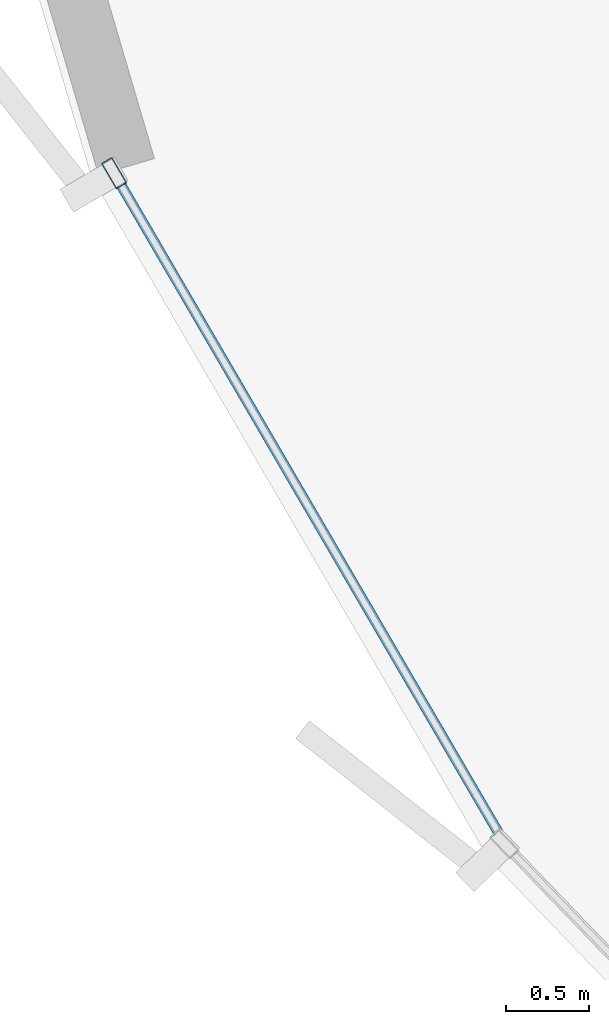
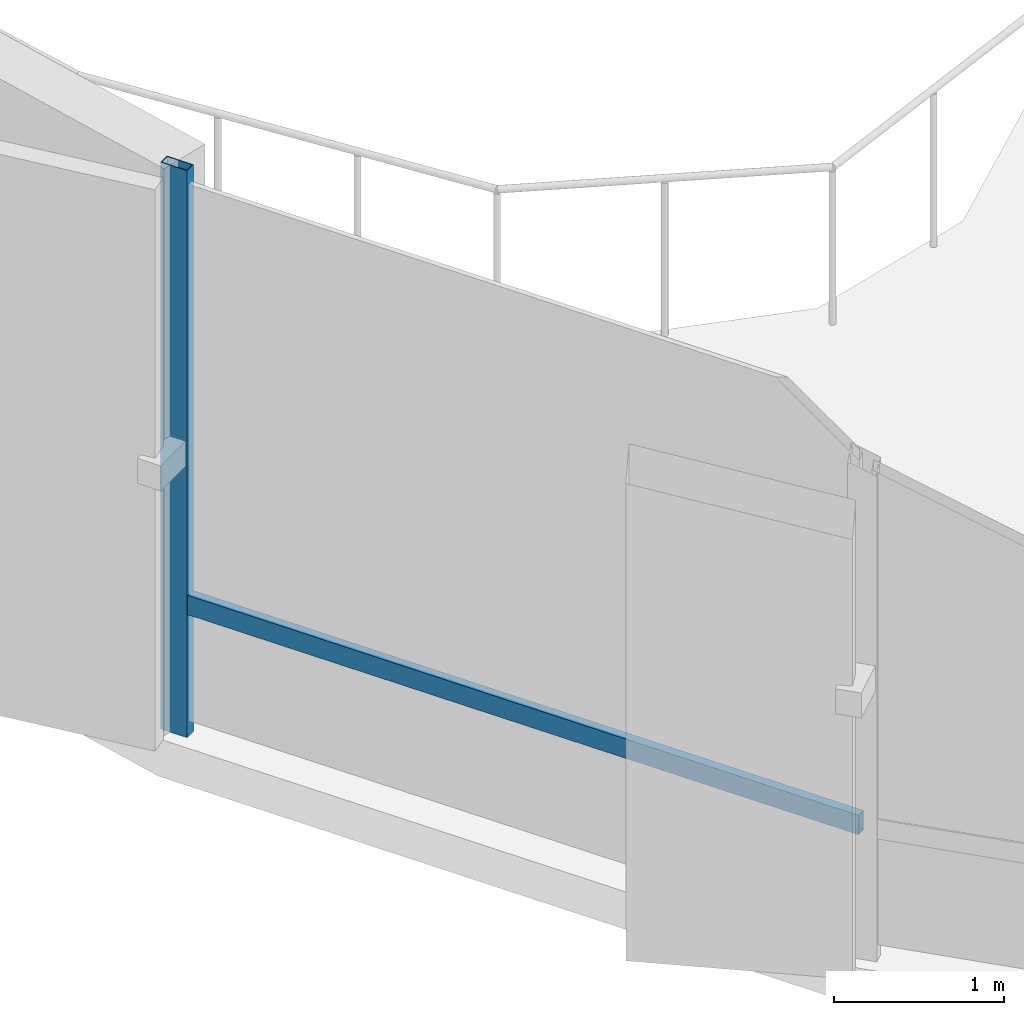
# One storey, part 3 of 34: 2 members, 1 element without a shape of its own.
"""IFC4 building model written with IfcOpenShell, lengths in metres."""

from ifc_helpers import new_model, si_unit, direction, frame, origin, origin_2d, place, context, subcontext, project, spatial, hollow_rectangle, extrude, source, transform, mapped, material, layer, layer_set, material_profile, profile_set, type_object, element, aggregate, save


model = new_model("IFC4")

# Units and contexts
model_context = context("Model", 3, precision=1e-05, world=origin(), true_north=direction((0.0, 1.0)))
body_context = subcontext(model_context, "Body", "Model", "MODEL_VIEW")
ifc_project = project(units=[si_unit("LENGTHUNIT", "METRE"), si_unit("AREAUNIT", "SQUARE_METRE"), si_unit("VOLUMEUNIT", "CUBIC_METRE"), si_unit("PLANEANGLEUNIT", "RADIAN"), si_unit("MASSUNIT", "GRAM", prefix="KILO"), si_unit("THERMODYNAMICTEMPERATUREUNIT", "KELVIN")], contexts=[model_context])

# Site, building, storey
site_placement = place(None, origin())
site = spatial("IfcSite", under=ifc_project, at=site_placement, CompositionType="ELEMENT")
building_placement = place(site_placement, origin())
building = spatial("IfcBuilding", under=site, at=building_placement, Name="Kethvar Cultural Tower", CompositionType="ELEMENT")
storey_placement = place(building_placement, frame((0.0, 0.0, 19.60009765625)))
storey = spatial("IfcBuildingStorey", under=building, at=storey_placement, Name="L04", CompositionType="ELEMENT", Elevation=19.60009765625)

# Curtain wall, members
ifc_material = material(Name="Aluminium 6063-T6", Category="aluminium")
ifc_layer = layer(ifc_material, 0.179931640625, Name="Aluminium 6063-T6", Category="aluminium")
ifc_layer_set = layer_set([ifc_layer], Name="Aluminium 6063-T6 (180 mm)")
curtain_wall_type = type_object("IfcCurtainWallType", Name="CW-SYS-01-POD", PredefinedType="NOTDEFINED", material=ifc_layer_set)
curtain_wall_placement = place(storey_placement, origin())
curtain_wall = element("IfcCurtainWall", 1, at=curtain_wall_placement, inside=storey, type_object=curtain_wall_type, Name="L04 Curtain Wall Run 04", PredefinedType="NOTDEFINED")
ifc_material_profile_1 = material_profile(ifc_material, hollow_rectangle(XDim=0.06005859375, YDim=0.139892578125, WallThickness=0.0048828125, at=origin_2d()), Name="Aluminium 6063-T6 — RHS140x60x5")
ifc_profile_set_1 = profile_set([ifc_material_profile_1], Name="Aluminium 6063-T6 — RHS140x60x5")
member_type_1 = type_object("IfcMemberType", Name="CW-SYS-01-POD-TRN", PredefinedType="USERDEFINED", material=ifc_profile_set_1)
shared_shape_1 = source(origin(), body_context, "Body", "SweptSolid", [
    extrude(hollow_rectangle(XDim=0.06005859375, YDim=0.139892578125, WallThickness=0.0048828125, at=origin_2d()), origin(), (0.0, 0.0, 1.0), 4.639892578125),
])
member_1_placement = place(storey_placement, frame((2.864501953125, 15.72705078125, 0.949951171875), z_axis=(0.503504560489, -0.863992568004, 0.0), x_axis=(0.863992568004, 0.503504560489, 0.0)))
member_1 = element("IfcMember", 2, at=member_1_placement, type_object=member_type_1, Name="CW-L04-R04 Transom 1", ObjectType="TRANSOM", PredefinedType="USERDEFINED", context=body_context, shape_type="MappedRepresentation", body=[
    mapped(shared_shape_1, transform((0.0, 0.0, 0.0), scale=1.0)),
])
ifc_material_profile_2 = material_profile(ifc_material, hollow_rectangle(XDim=0.074951171875, YDim=0.179931640625, WallThickness=0.006103515625, at=origin_2d()), Name="Aluminium 6063-T6 — RHS180x75x6")
ifc_profile_set_2 = profile_set([ifc_material_profile_2], Name="Aluminium 6063-T6 — RHS180x75x6")
member_type_2 = type_object("IfcMemberType", Name="CW-SYS-01-POD-MUL", PredefinedType="MULLION", material=ifc_profile_set_2)
shared_shape_2 = source(origin(), body_context, "Body", "SweptSolid", [
    extrude(hollow_rectangle(XDim=0.074951171875, YDim=0.179931640625, WallThickness=0.006103515625, at=origin_2d()), origin(), (0.0, 0.0, 1.0), 4.079833984375),
])
member_2_placement = place(storey_placement, frame((2.86181640625, 15.731689453125, 0.0), z_axis=(0.0, 0.0, 1.0), x_axis=(0.863984939927, 0.503517649721, 0.0)))
member_2 = element("IfcMember", 3, at=member_2_placement, type_object=member_type_2, Name="CW-L04-R04 Mullion 1", PredefinedType="MULLION", context=body_context, shape_type="MappedRepresentation", body=[
    mapped(shared_shape_2, transform((0.0, 0.0, 0.0), scale=1.0)),
])
aggregate(curtain_wall, [member_2, member_1])

save(model, "model.ifc")
